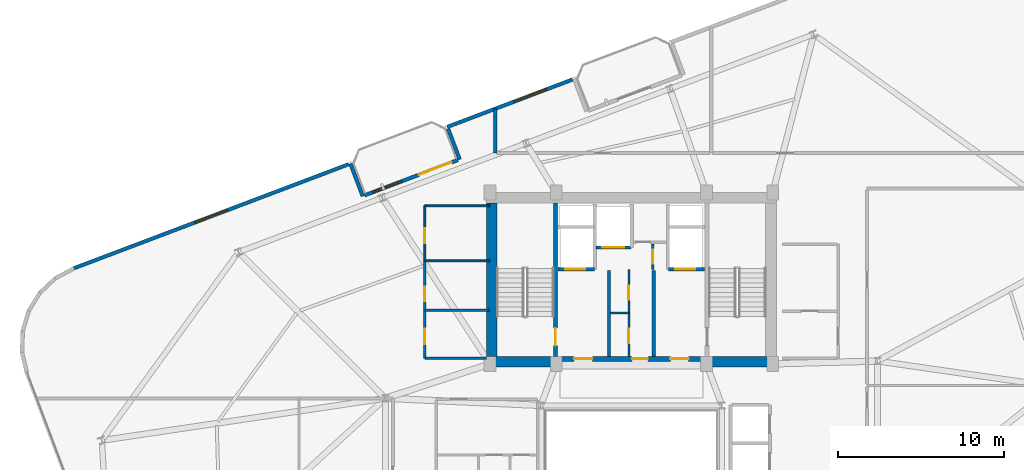
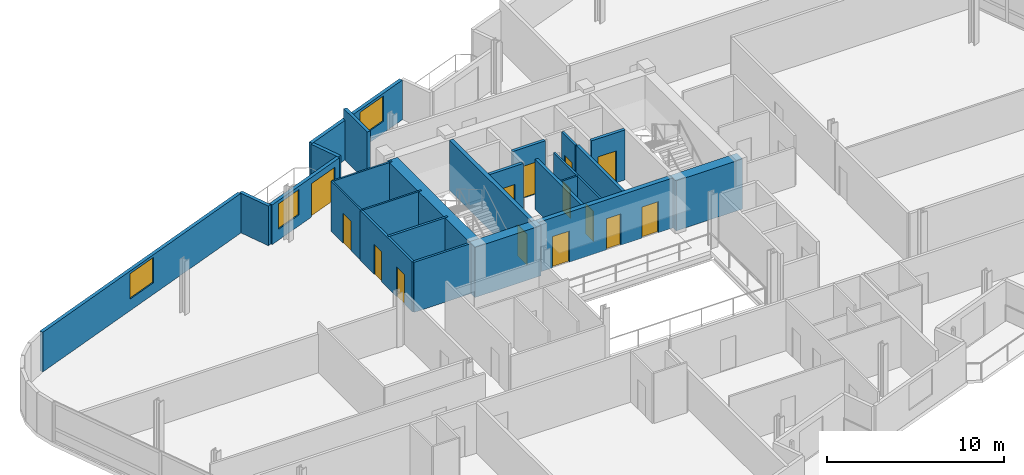
# One storey, part 16 of 20: 25 walls, 14 doors, 3 windows, 17 openings.
"""IFC4 building model written with IfcOpenShell, lengths in metres."""

from ifc_helpers import new_model, si_unit, direction, frame, frame_2d, origin, place, context, subcontext, project, spatial, rectangle, extrude, material, layer, layer_set, type_object, element, fill, save


model = new_model("IFC4")

# Units and contexts
model_context = context("Model", 3, precision=1e-05, world=origin(), true_north=direction((0.0, 1.0)))
body_context = subcontext(model_context, "Body", "Model", "MODEL_VIEW")
ifc_project = project(units=[si_unit("LENGTHUNIT", "METRE"), si_unit("AREAUNIT", "SQUARE_METRE"), si_unit("VOLUMEUNIT", "CUBIC_METRE"), si_unit("PLANEANGLEUNIT", "RADIAN"), si_unit("MASSUNIT", "GRAM", prefix="KILO")], contexts=[model_context])

# Site, building, storey
site_placement = place(None, origin())
site = spatial("IfcSite", under=ifc_project, at=site_placement, CompositionType="ELEMENT")
building_placement = place(site_placement, origin())
building = spatial("IfcBuilding", under=site, at=building_placement, Name="Varnelok Gate Tower", CompositionType="ELEMENT")
storey_placement = place(building_placement, frame((0.0, 0.0, 223.800048828125)))
storey = spatial("IfcBuildingStorey", under=building, at=storey_placement, Name="L57", CompositionType="ELEMENT", Elevation=223.800048828125)

# Wall, openings, door, window
ifc_material_1 = material(Name="Concrete C45/55", Category="concrete")
ifc_layer_1 = layer(ifc_material_1, 0.219970703125)
ifc_layer_set_1 = layer_set([ifc_layer_1], Name="Concrete C45/55")
wall_type_1 = type_object("IfcWallType", Name="EW-BALC-220", PredefinedType="SOLIDWALL", material=ifc_layer_set_1)
wall_1_placement = place(storey_placement, frame((23.1494140625, 38.88720703125, 0.0), z_axis=(0.0, 0.0, 1.0), x_axis=(0.9352192676, 0.354069091436, 0.0)))
wall_1 = element("IfcWall", 1, at=wall_1_placement, inside=storey, type_object=wall_type_1, Name="L57 North Terrace Envelope Wall 3", PredefinedType="SOLIDWALL", context=body_context, shape_type="SweptSolid", body=[
    extrude(rectangle(XDim=6.000244140625, YDim=0.219970703125, at=frame_2d((3.0, 0.0))), origin(), (0.0, 0.0, 1.0), 2.72998046875),
])
opening_1_placement = place(wall_1_placement, frame((3.5, 0.0, 0.0)))
opening_1 = element("IfcOpeningElement", 2, at=opening_1_placement, cuts=wall_1, Name="Opening BD-2", PredefinedType="OPENING", context=body_context, shape_type="SweptSolid", body=[
    extrude(rectangle(XDim=2.10009765625, YDim=2.300048828125, at=frame_2d((1.050048828125, 1.14990234375))), frame((0.0, 0.119873046875, 0.0), z_axis=(0.0, -1.0, 0.0), x_axis=(1.0, 0.0, 0.0)), (0.0, 0.0, 1.0), 0.239990234375),
])
opening_2_placement = place(wall_1_placement, frame((0.550048828125, 0.0, 0.75)))
opening_2 = element("IfcOpeningElement", 3, at=opening_2_placement, cuts=wall_1, Name="Opening WN5", PredefinedType="OPENING", context=body_context, shape_type="SweptSolid", body=[
    extrude(rectangle(XDim=1.85009765625, YDim=1.75, at=frame_2d((0.925048828125, 0.875))), frame((0.0, 0.119873046875, 0.0), z_axis=(0.0, -1.0, 0.0), x_axis=(1.0, 0.0, 0.0)), (0.0, 0.0, 1.0), 0.239990234375),
])
ifc_material_2 = material(Name="Anodized Aluminum Alloy 6063-T6", Category="aluminium")
door_type_1 = type_object("IfcDoorType", Name="DR-EXT-SLID2100", OperationType="SLIDING_TO_LEFT", PredefinedType="DOOR", material=ifc_material_2)
door_1_placement = place(opening_1_placement, origin())
door_1 = element("IfcDoor", 4, at=door_1_placement, inside=storey, type_object=door_type_1, Name="L57 North Balcony Glazed Door 3", OperationType="SLIDING_TO_LEFT", OverallHeight=2.300048828125, OverallWidth=2.10009765625, PredefinedType="DOOR", context=body_context, shape_type="SweptSolid", body=[
    extrude(rectangle(XDim=2.10009765625, YDim=2.300048828125, at=frame_2d((1.050048828125, 1.14990234375))), frame((0.0, 0.02490234375, 0.0), z_axis=(0.0, -1.0, 0.0), x_axis=(1.0, 0.0, 0.0)), (0.0, 0.0, 1.0), 0.050048828125),
])
fill(opening_1, door_1)
ifc_material_3 = material(Name="Low-E Laminated Double Glazing IGU", Category="glass")
window_type_1 = type_object("IfcWindowType", Name="WN-RES-1850", PartitioningType="SINGLE_PANEL", PredefinedType="WINDOW", material=ifc_material_3)
window_1_placement = place(opening_2_placement, origin())
window_1 = element("IfcWindow", 5, at=window_1_placement, inside=storey, type_object=window_type_1, Name="L57 North Vision Window 3.1", OverallHeight=1.75, OverallWidth=1.85009765625, PartitioningType="SINGLE_PANEL", PredefinedType="WINDOW", context=body_context, shape_type="SweptSolid", body=[
    extrude(rectangle(XDim=1.85009765625, YDim=1.75, at=frame_2d((0.925048828125, 0.875))), frame((0.0, 0.030029296875, 0.0), z_axis=(0.0, -1.0, 0.0), x_axis=(1.0, 0.0, 0.0)), (0.0, 0.0, 1.0), 0.06005859375),
])
fill(opening_2, window_1)

# Wall, opening, window
wall_2_placement = place(storey_placement, frame((35.647705078125, 45.853515625, 0.0), z_axis=(0.0, 0.0, 1.0), x_axis=(-0.935230796934, -0.354038636968, 0.0)))
wall_2 = element("IfcWall", 6, at=wall_2_placement, inside=storey, type_object=wall_type_1, Name="L57 Perimeter Facade Closure Wall 29", PredefinedType="SOLIDWALL", context=body_context, shape_type="SweptSolid", body=[
    extrude(rectangle(XDim=8.03515625, YDim=0.219970703125, at=frame_2d((4.017578125, 0.0))), origin(), (0.0, 0.0, 1.0), 2.72998046875),
])
opening_3_placement = place(wall_2_placement, frame((1.661865234375, 0.0, 0.800048828125)))
opening_3 = element("IfcOpeningElement", 7, at=opening_3_placement, cuts=wall_2, Name="Opening WN4", PredefinedType="OPENING", context=body_context, shape_type="SweptSolid", body=[
    extrude(rectangle(XDim=2.10009765625, YDim=1.75, at=frame_2d((1.050048828125, 0.875))), frame((0.0, 0.119873046875, 0.0), z_axis=(0.0, -1.0, 0.0), x_axis=(1.0, 0.0, 0.0)), (0.0, 0.0, 1.0), 0.239990234375),
])
window_type_2 = type_object("IfcWindowType", Name="WN-SUI-2100", PartitioningType="SINGLE_PANEL", PredefinedType="WINDOW", material=ifc_material_3)
window_2_placement = place(opening_3_placement, origin())
window_2 = element("IfcWindow", 8, at=window_2_placement, inside=storey, type_object=window_type_2, Name="L57 Perimeter Vision Window 29", OverallHeight=1.75, OverallWidth=2.10009765625, PartitioningType="SINGLE_PANEL", PredefinedType="WINDOW", context=body_context, shape_type="SweptSolid", body=[
    extrude(rectangle(XDim=2.10009765625, YDim=1.75, at=frame_2d((1.050048828125, 0.875))), frame((0.0, 0.030029296875, 0.0), z_axis=(0.0, -1.0, 0.0), x_axis=(1.0, 0.0, 0.0)), (0.0, 0.0, 1.0), 0.06005859375),
])
fill(opening_3, window_2)

# Walls
wall_3_placement = place(storey_placement, frame((28.177490234375, 42.891845703125, 0.0), z_axis=(0.0, 0.0, 1.0), x_axis=(0.354061611705, -0.935222099352, 0.0)))
element("IfcWall", 9, at=wall_3_placement, inside=storey, type_object=wall_type_1, Name="L57 Perimeter Facade Closure Wall 30", PredefinedType="SOLIDWALL", context=body_context, shape_type="SweptSolid", body=[
    extrude(rectangle(XDim=1.974853515625, YDim=0.219970703125, at=frame_2d((0.9873046875, 0.0))), origin(), (0.0, 0.0, 1.0), 2.72998046875),
])
wall_4_placement = place(storey_placement, frame((23.041015625, 38.83544921875, 0.0), z_axis=(0.0, 0.0, 1.0), x_axis=(-0.354128469405, 0.935196785258, 0.0)))
element("IfcWall", 10, at=wall_4_placement, inside=storey, type_object=wall_type_1, Name="L57 Perimeter Facade Closure Wall 31", PredefinedType="SOLIDWALL", context=body_context, shape_type="SweptSolid", body=[
    extrude(rectangle(XDim=2.099853515625, YDim=0.219970703125, at=frame_2d((1.0498046875, 0.0))), origin(), (0.0, 0.0, 1.0), 2.72998046875),
])

# Wall, opening, window
wall_5_placement = place(storey_placement, frame((22.180419921875, 40.755126953125, 0.0), z_axis=(0.0, 0.0, 1.0), x_axis=(-0.935223867561, -0.354056941104, 0.0)))
wall_5 = element("IfcWall", 11, at=wall_5_placement, inside=storey, type_object=wall_type_1, Name="L57 Perimeter Facade Closure Wall 32", PredefinedType="SOLIDWALL", context=body_context, shape_type="SweptSolid", body=[
    extrude(rectangle(XDim=17.64697265625, YDim=0.219970703125, at=frame_2d((8.823486328125, 0.0))), origin(), (0.0, 0.0, 1.0), 2.72998046875),
])
opening_4_placement = place(wall_5_placement, frame((7.773681640625, 0.0, 0.800048828125)))
opening_4 = element("IfcOpeningElement", 12, at=opening_4_placement, cuts=wall_5, Name="Opening WN4", PredefinedType="OPENING", context=body_context, shape_type="SweptSolid", body=[
    extrude(rectangle(XDim=2.10009765625, YDim=1.75, at=frame_2d((1.050048828125, 0.875))), frame((0.0, 0.119873046875, 0.0), z_axis=(0.0, -1.0, 0.0), x_axis=(1.0, 0.0, 0.0)), (0.0, 0.0, 1.0), 0.239990234375),
])
window_3_placement = place(opening_4_placement, origin())
window_3 = element("IfcWindow", 13, at=window_3_placement, inside=storey, type_object=window_type_2, Name="L57 Perimeter Vision Window 32", OverallHeight=1.75, OverallWidth=2.10009765625, PartitioningType="SINGLE_PANEL", PredefinedType="WINDOW", context=body_context, shape_type="SweptSolid", body=[
    extrude(rectangle(XDim=2.10009765625, YDim=1.75, at=frame_2d((1.050048828125, 0.875))), frame((0.0, 0.030029296875, 0.0), z_axis=(0.0, -1.0, 0.0), x_axis=(1.0, 0.0, 0.0)), (0.0, 0.0, 1.0), 0.06005859375),
])
fill(opening_4, window_3)

# Walls
ifc_material_4 = material(Name="Gypsum Plasterboard Acoustic Partition", Category="gypsum")
ifc_layer_2 = layer(ifc_material_4, 0.114990234375)
ifc_layer_set_2 = layer_set([ifc_layer_2], Name="Gypsum Plasterboard Acoustic Partition")
wall_type_2 = type_object("IfcWallType", Name="PW-ENS-125", PredefinedType="PARTITIONING", material=ifc_layer_set_2)
wall_6_placement = place(storey_placement, frame((26.800048828125, 34.949951171875, 0.0), z_axis=(0.0, 0.0, 1.0), x_axis=(1.0, 0.0, 0.0)))
element("IfcWall", 14, at=wall_6_placement, inside=storey, type_object=wall_type_2, Name="Interior Partition", PredefinedType="PARTITIONING", context=body_context, shape_type="SweptSolid", body=[
    extrude(rectangle(XDim=3.8798828125, YDim=0.114990234375, at=frame_2d((1.93994140625, 0.0))), origin(), (0.0, 0.0, 1.0), 3.449951171875),
])
wall_7_placement = place(storey_placement, frame((26.780029296875, 38.260009765625, 0.0), z_axis=(0.0, 0.0, 1.0), x_axis=(1.0, 0.0, 0.0)))
element("IfcWall", 15, at=wall_7_placement, inside=storey, type_object=wall_type_2, Name="Interior Partition", PredefinedType="PARTITIONING", context=body_context, shape_type="SweptSolid", body=[
    extrude(rectangle(XDim=3.89990234375, YDim=0.114990234375, at=frame_2d((1.949951171875, 0.0))), origin(), (0.0, 0.0, 1.0), 3.449951171875),
])

# Wall, opening, door
wall_8_placement = place(storey_placement, frame((26.780029296875, 34.949951171875, 0.0), z_axis=(0.0, 0.0, 1.0), x_axis=(0.0, 1.0, 0.0)))
wall_8 = element("IfcWall", 16, at=wall_8_placement, inside=storey, type_object=wall_type_2, Name="Interior Partition", PredefinedType="PARTITIONING", context=body_context, shape_type="SweptSolid", body=[
    extrude(rectangle(XDim=3.31005859375, YDim=0.114990234375, at=frame_2d((1.655029296875, 0.0))), origin(), (0.0, 0.0, 1.0), 3.449951171875),
])
opening_5_placement = place(wall_8_placement, frame((1.050048828125, 0.0, 0.0)))
opening_5 = element("IfcOpeningElement", 17, at=opening_5_placement, cuts=wall_8, Name="Opening D-WC", PredefinedType="OPENING", context=body_context, shape_type="SweptSolid", body=[
    extrude(rectangle(XDim=0.89990234375, YDim=2.050048828125, at=frame_2d((0.449951171875, 1.02490234375))), frame((0.0, 0.0673828125, 0.0), z_axis=(0.0, -1.0, 0.0), x_axis=(1.0, 0.0, 0.0)), (0.0, 0.0, 1.0), 0.135009765625),
])
ifc_material_5 = material(Name="Engineered Hardwood Timber", Category="wood")
door_type_2 = type_object("IfcDoorType", Name="DR-BATH-900", OperationType="NOTDEFINED", PredefinedType="DOOR", material=ifc_material_5)
door_2_placement = place(opening_5_placement, origin())
door_2 = element("IfcDoor", 18, at=door_2_placement, inside=storey, type_object=door_type_2, Name="L57 Core Staff WC Door", OperationType="SINGLE_SWING_LEFT", OverallHeight=2.050048828125, OverallWidth=0.89990234375, PredefinedType="DOOR", context=body_context, shape_type="SweptSolid", body=[
    extrude(rectangle(XDim=0.89990234375, YDim=2.050048828125, at=frame_2d((0.449951171875, 1.02490234375))), frame((0.0, 0.02490234375, 0.0), z_axis=(0.0, -1.0, 0.0), x_axis=(1.0, 0.0, 0.0)), (0.0, 0.0, 1.0), 0.050048828125),
])
fill(opening_5, door_2)

# Wall
ifc_layer_3 = layer(ifc_material_4, 0.125)
ifc_layer_set_3 = layer_set([ifc_layer_3], Name="Gypsum Plasterboard Acoustic Partition")
wall_type_3 = type_object("IfcWallType", Name="PW-PART-125", PredefinedType="PARTITIONING", material=ifc_layer_set_3)
wall_9_placement = place(storey_placement, frame((37.9599609375, 31.800048828125, 0.0), z_axis=(0.0, 0.0, 1.0), x_axis=(1.0, 0.0, 0.0)))
element("IfcWall", 19, at=wall_9_placement, inside=storey, type_object=wall_type_3, Name="Interior Partition", PredefinedType="PARTITIONING", context=body_context, shape_type="SweptSolid", body=[
    extrude(rectangle(XDim=1.090087890625, YDim=0.125, at=frame_2d((0.544921875, 0.0))), origin(), (0.0, 0.0, 1.0), 3.449951171875),
])

# Wall, openings, doors
wall_10_placement = place(storey_placement, frame((39.050048828125, 29.199951171875, 0.0), z_axis=(0.0, 0.0, 1.0), x_axis=(0.0, 1.0, 0.0)))
wall_10 = element("IfcWall", 20, at=wall_10_placement, inside=storey, type_object=wall_type_3, Name="Interior Partition", PredefinedType="PARTITIONING", context=body_context, shape_type="SweptSolid", body=[
    extrude(rectangle(XDim=5.219970703125, YDim=0.125, at=frame_2d((2.60986328125, 0.0))), origin(), (0.0, 0.0, 1.0), 3.449951171875),
])
opening_6_placement = place(wall_10_placement, frame((0.800048828125, 0.0, 0.0)))
opening_6 = element("IfcOpeningElement", 21, at=opening_6_placement, cuts=wall_10, Name="Opening D-RS", PredefinedType="OPENING", context=body_context, shape_type="SweptSolid", body=[
    extrude(rectangle(XDim=0.85009765625, YDim=2.050048828125, at=frame_2d((0.425048828125, 1.02490234375))), frame((0.0, 0.072509765625, 0.0), z_axis=(0.0, -1.0, 0.0), x_axis=(1.0, 0.0, 0.0)), (0.0, 0.0, 1.0), 0.14501953125),
])
opening_7_placement = place(wall_10_placement, frame((3.39990234375, 0.0, 0.0)))
opening_7 = element("IfcOpeningElement", 22, at=opening_7_placement, cuts=wall_10, Name="Opening D-RS", PredefinedType="OPENING", context=body_context, shape_type="SweptSolid", body=[
    extrude(rectangle(XDim=0.85009765625, YDim=2.050048828125, at=frame_2d((0.425048828125, 1.02490234375))), frame((0.0, 0.072509765625, 0.0), z_axis=(0.0, -1.0, 0.0), x_axis=(1.0, 0.0, 0.0)), (0.0, 0.0, 1.0), 0.14501953125),
])
ifc_material_6 = material(Name="Galvanized Steel Grade S350GD", Category="steel")
door_type_3 = type_object("IfcDoorType", Name="DR-RISER-850", OperationType="NOTDEFINED", PredefinedType="DOOR", material=ifc_material_6)
door_3_placement = place(opening_6_placement, origin())
door_3 = element("IfcDoor", 23, at=door_3_placement, inside=storey, type_object=door_type_3, Name="L57 Housekeeping Linen Door", OperationType="SINGLE_SWING_LEFT", OverallHeight=2.050048828125, OverallWidth=0.85009765625, PredefinedType="DOOR", context=body_context, shape_type="SweptSolid", body=[
    extrude(rectangle(XDim=0.85009765625, YDim=2.050048828125, at=frame_2d((0.425048828125, 1.02490234375))), frame((0.0, 0.02490234375, 0.0), z_axis=(0.0, -1.0, 0.0), x_axis=(1.0, 0.0, 0.0)), (0.0, 0.0, 1.0), 0.050048828125),
])
fill(opening_6, door_3)
door_4_placement = place(opening_7_placement, origin())
door_4 = element("IfcDoor", 24, at=door_4_placement, inside=storey, type_object=door_type_3, Name="L57 Janitor Sink Door", OperationType="SINGLE_SWING_RIGHT", OverallHeight=2.050048828125, OverallWidth=0.85009765625, PredefinedType="DOOR", context=body_context, shape_type="SweptSolid", body=[
    extrude(rectangle(XDim=0.85009765625, YDim=2.050048828125, at=frame_2d((0.425048828125, 1.02490234375))), frame((0.0, 0.02490234375, 0.0), z_axis=(0.0, -1.0, 0.0), x_axis=(1.0, 0.0, 0.0)), (0.0, 0.0, 1.0), 0.050048828125),
])
fill(opening_7, door_4)

# Wall, opening, door
ifc_layer_4 = layer(ifc_material_4, 0.14990234375)
ifc_layer_set_4 = layer_set([ifc_layer_4], Name="Gypsum Plasterboard Acoustic Partition")
wall_type_4 = type_object("IfcWallType", Name="PW-PART-150", PredefinedType="PARTITIONING", material=ifc_layer_set_4)
wall_11_placement = place(storey_placement, frame((40.47998046875, 34.43994140625, 0.0), z_axis=(0.0, 0.0, 1.0), x_axis=(0.0, 1.0, 0.0)))
wall_11 = element("IfcWall", 25, at=wall_11_placement, inside=storey, type_object=wall_type_4, Name="L57 Telecoms Closet West Wall", PredefinedType="PARTITIONING", context=body_context, shape_type="SweptSolid", body=[
    extrude(rectangle(XDim=1.52001953125, YDim=0.14990234375, at=frame_2d((0.760009765625, 0.0))), origin(), (0.0, 0.0, 1.0), 3.449951171875),
])
opening_8_placement = place(wall_11_placement, frame((0.320068359375, 0.0, 0.0)))
opening_8 = element("IfcOpeningElement", 26, at=opening_8_placement, cuts=wall_11, Name="Opening D-RS", PredefinedType="OPENING", context=body_context, shape_type="SweptSolid", body=[
    extrude(rectangle(XDim=0.85009765625, YDim=2.050048828125, at=frame_2d((0.425048828125, 1.02490234375))), frame((0.0, 0.0849609375, 0.0), z_axis=(0.0, -1.0, 0.0), x_axis=(1.0, 0.0, 0.0)), (0.0, 0.0, 1.0), 0.169921875),
])
door_5_placement = place(opening_8_placement, origin())
door_5 = element("IfcDoor", 27, at=door_5_placement, inside=storey, type_object=door_type_3, Name="L57 Telecoms Closet Door", OperationType="SINGLE_SWING_LEFT", OverallHeight=2.050048828125, OverallWidth=0.85009765625, PredefinedType="DOOR", context=body_context, shape_type="SweptSolid", body=[
    extrude(rectangle(XDim=0.85009765625, YDim=2.050048828125, at=frame_2d((0.425048828125, 1.02490234375))), frame((0.0, 0.02490234375, 0.0), z_axis=(0.0, -1.0, 0.0), x_axis=(1.0, 0.0, 0.0)), (0.0, 0.0, 1.0), 0.050048828125),
])
fill(opening_8, door_5)

# Walls
wall_12_placement = place(storey_placement, frame((26.780029296875, 29.080078125, 0.0), z_axis=(0.0, 0.0, 1.0), x_axis=(1.0, 0.0, 0.0)))
element("IfcWall", 28, at=wall_12_placement, inside=storey, type_object=wall_type_4, Name="Interior Partition", PredefinedType="PARTITIONING", context=body_context, shape_type="SweptSolid", body=[
    extrude(rectangle(XDim=3.699951171875, YDim=0.14990234375, at=frame_2d((1.85009765625, 0.0))), origin(), (0.0, 0.0, 1.0), 3.449951171875),
])
wall_13_placement = place(storey_placement, frame((26.800048828125, 31.989990234375, 0.0), z_axis=(0.0, 0.0, 1.0), x_axis=(1.0, 0.0, 0.0)))
element("IfcWall", 29, at=wall_13_placement, inside=storey, type_object=wall_type_4, Name="Interior Partition", PredefinedType="PARTITIONING", context=body_context, shape_type="SweptSolid", body=[
    extrude(rectangle(XDim=3.8798828125, YDim=0.14990234375, at=frame_2d((1.93994140625, 0.0))), origin(), (0.0, 0.0, 1.0), 3.449951171875),
])

# Wall, openings, doors
wall_14_placement = place(storey_placement, frame((26.780029296875, 29.080078125, 0.0), z_axis=(0.0, 0.0, 1.0), x_axis=(0.0, 1.0, 0.0)))
wall_14 = element("IfcWall", 30, at=wall_14_placement, inside=storey, type_object=wall_type_4, Name="Interior Partition", PredefinedType="PARTITIONING", context=body_context, shape_type="SweptSolid", body=[
    extrude(rectangle(XDim=5.869873046875, YDim=0.14990234375, at=frame_2d((2.93505859375, 0.0))), origin(), (0.0, 0.0, 1.0), 3.449951171875),
])
opening_9_placement = place(wall_14_placement, frame((0.85009765625, 0.0, 0.0)))
opening_9 = element("IfcOpeningElement", 31, at=opening_9_placement, cuts=wall_14, Name="Opening D-I3", PredefinedType="OPENING", context=body_context, shape_type="SweptSolid", body=[
    extrude(rectangle(XDim=0.919921875, YDim=2.050048828125, at=frame_2d((0.4599609375, 1.02490234375))), frame((0.0, 0.0849609375, 0.0), z_axis=(0.0, -1.0, 0.0), x_axis=(1.0, 0.0, 0.0)), (0.0, 0.0, 1.0), 0.169921875),
])
opening_10_placement = place(wall_14_placement, frame((3.449951171875, 0.0, 0.0)))
opening_10 = element("IfcOpeningElement", 32, at=opening_10_placement, cuts=wall_14, Name="Opening D-RS", PredefinedType="OPENING", context=body_context, shape_type="SweptSolid", body=[
    extrude(rectangle(XDim=0.85009765625, YDim=2.050048828125, at=frame_2d((0.425048828125, 1.02490234375))), frame((0.0, 0.0849609375, 0.0), z_axis=(0.0, -1.0, 0.0), x_axis=(1.0, 0.0, 0.0)), (0.0, 0.0, 1.0), 0.169921875),
])
door_type_4 = type_object("IfcDoorType", Name="DR-INT-920", OperationType="NOTDEFINED", PredefinedType="DOOR", material=ifc_material_5)
door_6_placement = place(opening_9_placement, origin())
door_6 = element("IfcDoor", 33, at=door_6_placement, inside=storey, type_object=door_type_4, Name="L57 Core Linen Door", OperationType="SINGLE_SWING_LEFT", OverallHeight=2.050048828125, OverallWidth=0.919921875, PredefinedType="DOOR", context=body_context, shape_type="SweptSolid", body=[
    extrude(rectangle(XDim=0.919921875, YDim=2.050048828125, at=frame_2d((0.4599609375, 1.02490234375))), frame((0.0, 0.02490234375, 0.0), z_axis=(0.0, -1.0, 0.0), x_axis=(1.0, 0.0, 0.0)), (0.0, 0.0, 1.0), 0.050048828125),
])
fill(opening_9, door_6)
door_7_placement = place(opening_10_placement, origin())
door_7 = element("IfcDoor", 34, at=door_7_placement, inside=storey, type_object=door_type_3, Name="L57 Core Janitor Door", OperationType="SINGLE_SWING_RIGHT", OverallHeight=2.050048828125, OverallWidth=0.85009765625, PredefinedType="DOOR", context=body_context, shape_type="SweptSolid", body=[
    extrude(rectangle(XDim=0.85009765625, YDim=2.050048828125, at=frame_2d((0.425048828125, 1.02490234375))), frame((0.0, 0.02490234375, 0.0), z_axis=(0.0, -1.0, 0.0), x_axis=(1.0, 0.0, 0.0)), (0.0, 0.0, 1.0), 0.050048828125),
])
fill(opening_10, door_7)

# Walls
ifc_layer_5 = layer(ifc_material_4, 0.205078125)
ifc_layer_set_5 = layer_set([ifc_layer_5], Name="Gypsum Plasterboard Acoustic Partition")
wall_type_5 = type_object("IfcWallType", Name="PW-PARTY-200", PredefinedType="PARTITIONING", material=ifc_layer_set_5)
wall_15_placement = place(storey_placement, frame((31.0, 41.429931640625, 0.0), z_axis=(0.0, 0.0, 1.0), x_axis=(0.0, 1.0, 0.0)))
element("IfcWall", 35, at=wall_15_placement, inside=storey, type_object=wall_type_5, Name="L57 North Party Wall 1", PredefinedType="PARTITIONING", context=body_context, shape_type="SweptSolid", body=[
    extrude(rectangle(XDim=2.642822265625, YDim=0.205078125, at=frame_2d((1.3212890625, 0.0))), origin(), (0.0, 0.0, 1.0), 3.449951171875),
])
ifc_material_7 = material(Name="Concrete C35/45", Category="concrete")
ifc_layer_6 = layer(ifc_material_7, 0.199951171875)
ifc_layer_set_6 = layer_set([ifc_layer_6], Name="Concrete C35/45")
wall_type_6 = type_object("IfcWallType", Name="PW-SHAFT-200", PredefinedType="PARTITIONING", material=ifc_layer_set_6)
for number, where, z_axis, x_axis, name in (
    (36, (37.860107421875, 29.199951171875, 0.0), (0.0, 0.0, 1.0), (0.0, 1.0, 0.0), "L57 West FF Lobby Rated Wall"),
    (37, (40.5400390625, 29.199951171875, 0.0), (0.0, 0.0, 1.0), (0.0, 1.0, 0.0), "L57 East FF Lobby Rated Wall"),
):
    element("IfcWall", number, at=place(storey_placement, frame(where, z_axis=z_axis, x_axis=x_axis)), inside=storey, type_object=wall_type_6, Name=name, PredefinedType="PARTITIONING", context=body_context, shape_type="SweptSolid", body=[
        extrude(rectangle(XDim=5.179931640625, YDim=0.199951171875, at=frame_2d((2.58984375, 0.0))), origin(), (0.0, 0.0, 1.0), 3.449951171875),
    ])

# Wall, opening, door
wall_16_placement = place(storey_placement, frame((34.800048828125, 34.43994140625, 0.0), z_axis=(0.0, 0.0, 1.0), x_axis=(1.0, 0.0, 0.0)))
wall_16 = element("IfcWall", 38, at=wall_16_placement, inside=storey, type_object=wall_type_6, Name="L57 FF1 Shaft Front Wall", PredefinedType="PARTITIONING", context=body_context, shape_type="SweptSolid", body=[
    extrude(rectangle(XDim=2.179931640625, YDim=0.199951171875, at=frame_2d((1.08984375, 0.0))), origin(), (0.0, 0.0, 1.0), 3.449951171875),
])
opening_11_placement = place(wall_16_placement, frame((0.419921875, 0.0, 0.0)))
opening_11 = element("IfcOpeningElement", 39, at=opening_11_placement, cuts=wall_16, Name="Opening LD-FF1", PredefinedType="OPENING", context=body_context, shape_type="SweptSolid", body=[
    extrude(rectangle(XDim=1.199951171875, YDim=2.199951171875, at=frame_2d((0.60009765625, 1.10009765625))), frame((0.0, 0.10986328125, 0.0), z_axis=(0.0, -1.0, 0.0), x_axis=(1.0, 0.0, 0.0)), (0.0, 0.0, 1.0), 0.219970703125),
])
door_type_5 = type_object("IfcDoorType", Name="DR-LIFT-FF1200", OperationType="SLIDING_TO_LEFT", PredefinedType="DOOR", material=ifc_material_6)
door_8_placement = place(opening_11_placement, origin())
door_8 = element("IfcDoor", 40, at=door_8_placement, inside=storey, type_object=door_type_5, Name="L57 Firefighting Lift Landing Door LD-FF1", OperationType="SLIDING_TO_LEFT", OverallHeight=2.199951171875, OverallWidth=1.199951171875, PredefinedType="DOOR", context=body_context, shape_type="SweptSolid", body=[
    extrude(rectangle(XDim=1.199951171875, YDim=2.199951171875, at=frame_2d((0.60009765625, 1.10009765625))), frame((0.0, 0.02490234375, 0.0), z_axis=(0.0, -1.0, 0.0), x_axis=(1.0, 0.0, 0.0)), (0.0, 0.0, 1.0), 0.050048828125),
])
fill(opening_11, door_8)

wall_17_placement = place(storey_placement, frame((41.419921875, 34.43994140625, 0.0), z_axis=(0.0, 0.0, 1.0), x_axis=(1.0, 0.0, 0.0)))
wall_17 = element("IfcWall", 41, at=wall_17_placement, inside=storey, type_object=wall_type_6, Name="L57 FF2 Shaft Front Wall", PredefinedType="PARTITIONING", context=body_context, shape_type="SweptSolid", body=[
    extrude(rectangle(XDim=2.18017578125, YDim=0.199951171875, at=frame_2d((1.090087890625, 0.0))), origin(), (0.0, 0.0, 1.0), 3.449951171875),
])
opening_12_placement = place(wall_17_placement, frame((0.419921875, 0.0, 0.0)))
opening_12 = element("IfcOpeningElement", 42, at=opening_12_placement, cuts=wall_17, Name="Opening LD-FF2", PredefinedType="OPENING", context=body_context, shape_type="SweptSolid", body=[
    extrude(rectangle(XDim=1.199951171875, YDim=2.199951171875, at=frame_2d((0.60009765625, 1.10009765625))), frame((0.0, 0.10986328125, 0.0), z_axis=(0.0, -1.0, 0.0), x_axis=(1.0, 0.0, 0.0)), (0.0, 0.0, 1.0), 0.219970703125),
])
door_9_placement = place(opening_12_placement, origin())
door_9 = element("IfcDoor", 43, at=door_9_placement, inside=storey, type_object=door_type_5, Name="L57 Firefighting Lift Landing Door LD-FF2", OperationType="SLIDING_TO_LEFT", OverallHeight=2.199951171875, OverallWidth=1.199951171875, PredefinedType="DOOR", context=body_context, shape_type="SweptSolid", body=[
    extrude(rectangle(XDim=1.199951171875, YDim=2.199951171875, at=frame_2d((0.60009765625, 1.10009765625))), frame((0.0, 0.02490234375, 0.0), z_axis=(0.0, -1.0, 0.0), x_axis=(1.0, 0.0, 0.0)), (0.0, 0.0, 1.0), 0.050048828125),
])
fill(opening_12, door_9)

wall_18_placement = place(storey_placement, frame((37.06005859375, 35.75, 0.0), z_axis=(0.0, 0.0, 1.0), x_axis=(1.0, 0.0, 0.0)))
wall_18 = element("IfcWall", 44, at=wall_18_placement, inside=storey, type_object=wall_type_6, Name="L57 SV1 Shaft Front Wall", PredefinedType="PARTITIONING", context=body_context, shape_type="SweptSolid", body=[
    extrude(rectangle(XDim=2.119873046875, YDim=0.199951171875, at=frame_2d((1.06005859375, 0.0))), origin(), (0.0, 0.0, 1.0), 3.449951171875),
])
opening_13_placement = place(wall_18_placement, frame((0.39990234375, 0.0, 0.0)))
opening_13 = element("IfcOpeningElement", 45, at=opening_13_placement, cuts=wall_18, Name="Opening LD-SV1", PredefinedType="OPENING", context=body_context, shape_type="SweptSolid", body=[
    extrude(rectangle(XDim=1.300048828125, YDim=2.199951171875, at=frame_2d((0.64990234375, 1.10009765625))), frame((0.0, 0.10986328125, 0.0), z_axis=(0.0, -1.0, 0.0), x_axis=(1.0, 0.0, 0.0)), (0.0, 0.0, 1.0), 0.219970703125),
])
door_type_6 = type_object("IfcDoorType", Name="DR-LIFT-SV1300", OperationType="SLIDING_TO_LEFT", PredefinedType="DOOR", material=ifc_material_6)
door_10_placement = place(opening_13_placement, origin())
door_10 = element("IfcDoor", 46, at=door_10_placement, inside=storey, type_object=door_type_6, Name="L57 Service Lift Landing Door LD-SV1", OperationType="SLIDING_TO_LEFT", OverallHeight=2.199951171875, OverallWidth=1.300048828125, PredefinedType="DOOR", context=body_context, shape_type="SweptSolid", body=[
    extrude(rectangle(XDim=1.300048828125, YDim=2.199951171875, at=frame_2d((0.64990234375, 1.10009765625))), frame((0.0, 0.02490234375, 0.0), z_axis=(0.0, -1.0, 0.0), x_axis=(1.0, 0.0, 0.0)), (0.0, 0.0, 1.0), 0.050048828125),
])
fill(opening_13, door_10)

# Walls
ifc_material_8 = material(Name="Concrete C60/75", Category="concrete")
ifc_layer_7 = layer(ifc_material_8, 0.64990234375)
ifc_layer_set_7 = layer_set([ifc_layer_7], Name="Concrete C60/75")
wall_type_7 = type_object("IfcWallType", Name="SW-CORE-650", PredefinedType="SHEAR", material=ifc_layer_set_7)
wall_19_placement = place(storey_placement, frame((30.804931640625, 29.199951171875, 0.0), z_axis=(0.0, 0.0, 1.0), x_axis=(0.0, 1.0, 0.0)))
element("IfcWall", 47, at=wall_19_placement, inside=storey, type_object=wall_type_7, Name="L57 Rear Core West Shear Wall", PredefinedType="SHEAR", context=body_context, shape_type="SweptSolid", body=[
    extrude(rectangle(XDim=9.219970703125, YDim=0.64990234375, at=frame_2d((4.60986328125, 0.0))), origin(), (0.0, 0.0, 1.0), 3.449951171875),
])
wall_20_placement = place(storey_placement, frame((30.47998046875, 28.875, 0.0), z_axis=(0.0, 0.0, 1.0), x_axis=(1.0, 0.0, 0.0)))
element("IfcWall", 48, at=wall_20_placement, inside=storey, type_object=wall_type_7, Name="L57 Rear Core South-West Shear Wall", PredefinedType="SHEAR", context=body_context, shape_type="SweptSolid", body=[
    extrude(rectangle(XDim=4.320068359375, YDim=0.64990234375, at=frame_2d((2.16015625, 0.0))), origin(), (0.0, 0.0, 1.0), 3.449951171875),
])
wall_21_placement = place(storey_placement, frame((43.60009765625, 28.875, 0.0), z_axis=(0.0, 0.0, 1.0), x_axis=(1.0, 0.0, 0.0)))
element("IfcWall", 49, at=wall_21_placement, inside=storey, type_object=wall_type_7, Name="L57 Rear Core South-East Shear Wall", PredefinedType="SHEAR", context=body_context, shape_type="SweptSolid", body=[
    extrude(rectangle(XDim=4.31982421875, YDim=0.64990234375, at=frame_2d((2.159912109375, 0.0))), origin(), (0.0, 0.0, 1.0), 3.449951171875),
])

# Wall, opening, door
ifc_layer_8 = layer(ifc_material_8, 0.25)
ifc_layer_set_8 = layer_set([ifc_layer_8], Name="Concrete C60/75")
wall_type_8 = type_object("IfcWallType", Name="SW-SHAFT-250", PredefinedType="SHEAR", material=ifc_layer_set_8)
wall_22_placement = place(storey_placement, frame((34.639892578125, 29.199951171875, 0.0), z_axis=(0.0, 0.0, 1.0), x_axis=(0.0, 1.0, 0.0)))
wall_22 = element("IfcWall", 50, at=wall_22_placement, inside=storey, type_object=wall_type_8, Name="L57 Stair ST-1 East Shear Wall", PredefinedType="SHEAR", context=body_context, shape_type="SweptSolid", body=[
    extrude(rectangle(XDim=9.219970703125, YDim=0.25, at=frame_2d((4.60986328125, 0.0))), origin(), (0.0, 0.0, 1.0), 3.449951171875),
])
opening_14_placement = place(wall_22_placement, frame((0.64990234375, 0.0, 0.0)))
opening_14 = element("IfcOpeningElement", 51, at=opening_14_placement, cuts=wall_22, Name="Opening D-ST", PredefinedType="OPENING", context=body_context, shape_type="SweptSolid", body=[
    extrude(rectangle(XDim=1.050048828125, YDim=2.14990234375, at=frame_2d((0.52490234375, 1.074951171875))), frame((0.0, 0.135009765625, 0.0), z_axis=(0.0, -1.0, 0.0), x_axis=(1.0, 0.0, 0.0)), (0.0, 0.0, 1.0), 0.27001953125),
])
door_type_7 = type_object("IfcDoorType", Name="DR-STAIR-1050", OperationType="NOTDEFINED", PredefinedType="DOOR", material=ifc_material_6)
door_11_placement = place(opening_14_placement, origin())
door_11 = element("IfcDoor", 52, at=door_11_placement, inside=storey, type_object=door_type_7, Name="L57 Exit Stair ST-1 Fire Door", OperationType="SINGLE_SWING_LEFT", OverallHeight=2.14990234375, OverallWidth=1.050048828125, PredefinedType="DOOR", context=body_context, shape_type="SweptSolid", body=[
    extrude(rectangle(XDim=1.050048828125, YDim=2.14990234375, at=frame_2d((0.52490234375, 1.074951171875))), frame((0.0, 0.02490234375, 0.0), z_axis=(0.0, -1.0, 0.0), x_axis=(1.0, 0.0, 0.0)), (0.0, 0.0, 1.0), 0.050048828125),
])
fill(opening_14, door_11)

# Wall, openings, doors
ifc_layer_9 = layer(ifc_material_8, 0.300048828125)
ifc_layer_set_9 = layer_set([ifc_layer_9], Name="Concrete C60/75")
wall_type_9 = type_object("IfcWallType", Name="SW-SHAFT-300", PredefinedType="SHEAR", material=ifc_layer_set_9)
wall_23_placement = place(storey_placement, frame((34.800048828125, 29.050048828125, 0.0), z_axis=(0.0, 0.0, 1.0), x_axis=(1.0, 0.0, 0.0)))
wall_23 = element("IfcWall", 53, at=wall_23_placement, inside=storey, type_object=wall_type_9, Name="L57 Rear Core Central Lobby Shear Wall", PredefinedType="SHEAR", context=body_context, shape_type="SweptSolid", body=[
    extrude(rectangle(XDim=8.800048828125, YDim=0.300048828125, at=frame_2d((4.39990234375, 0.0))), origin(), (0.0, 0.0, 1.0), 3.449951171875),
])
opening_15_placement = place(wall_23_placement, frame((0.949951171875, 0.0, 0.0)))
opening_15 = element("IfcOpeningElement", 54, at=opening_15_placement, cuts=wall_23, Name="Opening D-FF", PredefinedType="OPENING", context=body_context, shape_type="SweptSolid", body=[
    extrude(rectangle(XDim=1.10009765625, YDim=2.14990234375, at=frame_2d((0.550048828125, 1.074951171875))), frame((0.0, 0.159912109375, 0.0), z_axis=(0.0, -1.0, 0.0), x_axis=(1.0, 0.0, 0.0)), (0.0, 0.0, 1.0), 0.320068359375),
])
opening_16_placement = place(wall_23_placement, frame((6.75, 0.0, 0.0)))
opening_16 = element("IfcOpeningElement", 55, at=opening_16_placement, cuts=wall_23, Name="Opening D-FF", PredefinedType="OPENING", context=body_context, shape_type="SweptSolid", body=[
    extrude(rectangle(XDim=1.10009765625, YDim=2.14990234375, at=frame_2d((0.550048828125, 1.074951171875))), frame((0.0, 0.159912109375, 0.0), z_axis=(0.0, -1.0, 0.0), x_axis=(1.0, 0.0, 0.0)), (0.0, 0.0, 1.0), 0.320068359375),
])
opening_17_placement = place(wall_23_placement, frame((4.449951171875, 0.0, 0.0)))
opening_17 = element("IfcOpeningElement", 56, at=opening_17_placement, cuts=wall_23, Name="Opening D-CR", PredefinedType="OPENING", context=body_context, shape_type="SweptSolid", body=[
    extrude(rectangle(XDim=0.949951171875, YDim=2.14990234375, at=frame_2d((0.47509765625, 1.074951171875))), frame((0.0, 0.159912109375, 0.0), z_axis=(0.0, -1.0, 0.0), x_axis=(1.0, 0.0, 0.0)), (0.0, 0.0, 1.0), 0.320068359375),
])
door_type_8 = type_object("IfcDoorType", Name="DR-CORR-950", OperationType="NOTDEFINED", PredefinedType="DOOR", material=ifc_material_6)
door_12_placement = place(opening_17_placement, origin())
door_12 = element("IfcDoor", 57, at=door_12_placement, inside=storey, type_object=door_type_8, Name="L57 Core Service Passage Door", OperationType="SINGLE_SWING_LEFT", OverallHeight=2.14990234375, OverallWidth=0.949951171875, PredefinedType="DOOR", context=body_context, shape_type="SweptSolid", body=[
    extrude(rectangle(XDim=0.949951171875, YDim=2.14990234375, at=frame_2d((0.47509765625, 1.074951171875))), frame((0.0, 0.02490234375, 0.0), z_axis=(0.0, -1.0, 0.0), x_axis=(1.0, 0.0, 0.0)), (0.0, 0.0, 1.0), 0.050048828125),
])
fill(opening_17, door_12)
door_type_9 = type_object("IfcDoorType", Name="DR-FFLOB-1100", OperationType="NOTDEFINED", PredefinedType="DOOR", material=ifc_material_6)
door_13_placement = place(opening_15_placement, origin())
door_13 = element("IfcDoor", 58, at=door_13_placement, inside=storey, type_object=door_type_9, Name="L57 West Firefighting Lobby Fire Door", OperationType="SINGLE_SWING_RIGHT", OverallHeight=2.14990234375, OverallWidth=1.10009765625, PredefinedType="DOOR", context=body_context, shape_type="SweptSolid", body=[
    extrude(rectangle(XDim=1.10009765625, YDim=2.14990234375, at=frame_2d((0.550048828125, 1.074951171875))), frame((0.0, 0.02490234375, 0.0), z_axis=(0.0, -1.0, 0.0), x_axis=(1.0, 0.0, 0.0)), (0.0, 0.0, 1.0), 0.050048828125),
])
fill(opening_15, door_13)
door_14_placement = place(opening_16_placement, origin())
door_14 = element("IfcDoor", 59, at=door_14_placement, inside=storey, type_object=door_type_9, Name="L57 East Firefighting Lobby Fire Door", OperationType="SINGLE_SWING_LEFT", OverallHeight=2.14990234375, OverallWidth=1.10009765625, PredefinedType="DOOR", context=body_context, shape_type="SweptSolid", body=[
    extrude(rectangle(XDim=1.10009765625, YDim=2.14990234375, at=frame_2d((0.550048828125, 1.074951171875))), frame((0.0, 0.02490234375, 0.0), z_axis=(0.0, -1.0, 0.0), x_axis=(1.0, 0.0, 0.0)), (0.0, 0.0, 1.0), 0.050048828125),
])
fill(opening_16, door_14)

save(model, "model.ifc")
